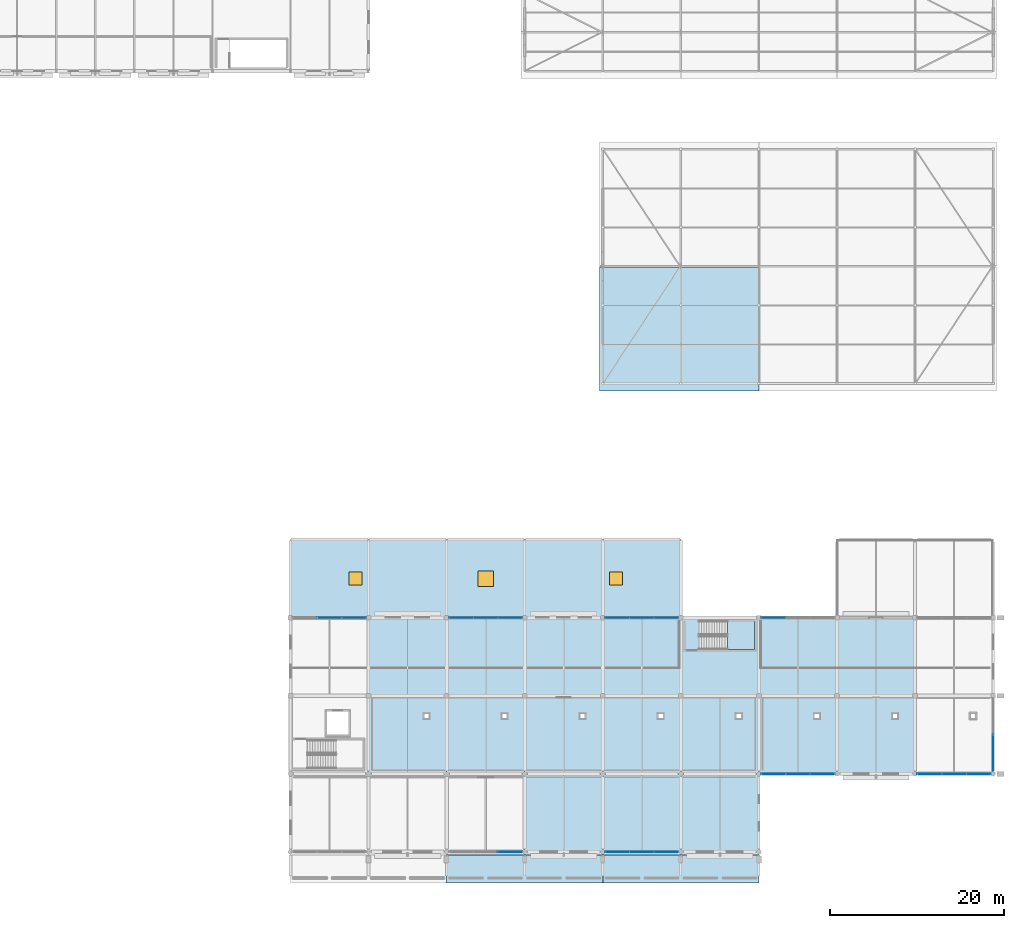
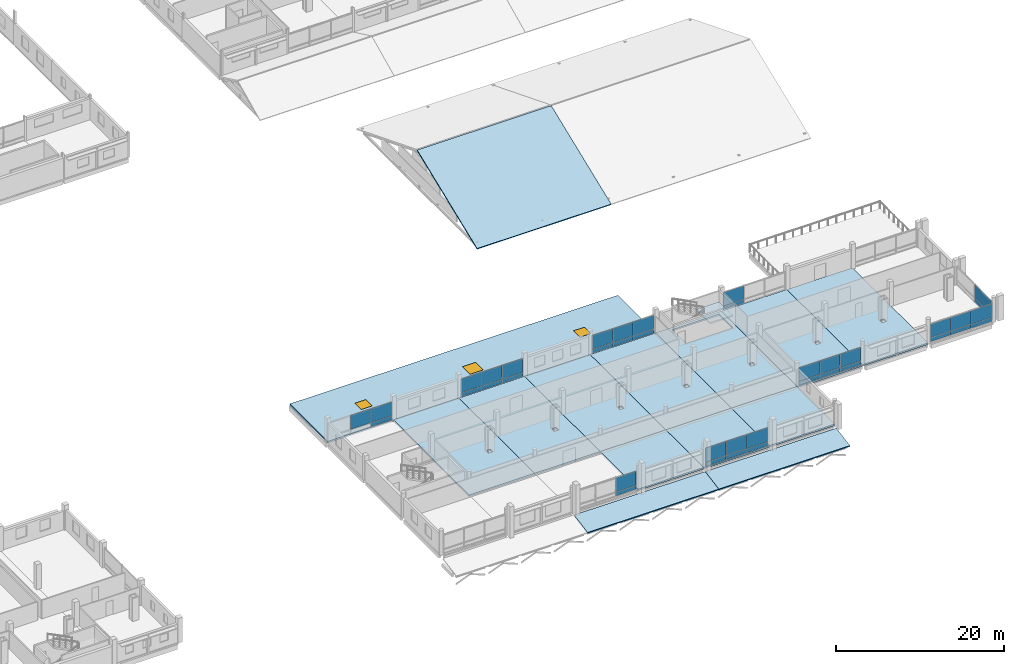
# One storey, part 95 of 132: 39 plates, 15 slabs, 3 windows, 3 openings, 10 elements without a shape of their own.
"""IFC4 building model written with IfcOpenShell, lengths in metres."""

from ifc_helpers import new_model, si_unit, direction, frame, origin, origin_2d, place, context, subcontext, project, spatial, polyline, rectangle, outline, extrude, material, layer, layer_set, type_object, element, fill, aggregate, save


model = new_model("IFC4")

# Units and contexts
model_context = context("Model", 3, precision=1e-05, world=origin(), true_north=direction((0.0, 1.0)))
body_context = subcontext(model_context, "Body", "Model", "MODEL_VIEW")
ifc_project = project(units=[si_unit("LENGTHUNIT", "METRE"), si_unit("AREAUNIT", "SQUARE_METRE"), si_unit("VOLUMEUNIT", "CUBIC_METRE"), si_unit("PLANEANGLEUNIT", "RADIAN"), si_unit("MASSUNIT", "GRAM", prefix="KILO")], contexts=[model_context])

# Site, building, storey
site_placement = place(None, origin())
site = spatial("IfcSite", under=ifc_project, at=site_placement, CompositionType="ELEMENT")
building_placement = place(site_placement, origin())
building = spatial("IfcBuilding", under=site, at=building_placement, Name="Tharagai Park Tramway Depot", CompositionType="ELEMENT")
storey_placement = place(building_placement, frame((0.0, 0.0, 4.800048828125)))
storey = spatial("IfcBuildingStorey", under=building, at=storey_placement, Name="L01", CompositionType="ELEMENT", Elevation=4.800048828125)

# Curtain wall, plate
ifc_material_1 = material(Name="Anodised aluminium", Category="aluminium")
curtain_wall_type_1 = type_object("IfcCurtainWallType", Name="CW-06", PredefinedType="NOTDEFINED", material=ifc_material_1)
curtain_wall_1_placement = place(storey_placement, origin())
curtain_wall_1 = element("IfcCurtainWall", 1, at=curtain_wall_1_placement, inside=storey, type_object=curtain_wall_type_1, Name="L01 V5 Gothic Mullioned Curtain Wall CW-06", PredefinedType="NOTDEFINED")
ifc_layer_1 = layer(ifc_material_1, 0.0400390625)
ifc_layer_set_1 = layer_set([ifc_layer_1], Name="Anodised aluminium")
plate_type_1 = type_object("IfcPlateType", Name="CP-01", PredefinedType="CURTAIN_PANEL", material=ifc_layer_set_1)
plate_1_placement = place(storey_placement, frame((160.3232421875, 0.0, 0.080078125), z_axis=(0.0, 0.0, 1.0), x_axis=(1.0, 0.0, 0.0)))
plate_1 = element("IfcPlate", 2, at=plate_1_placement, type_object=plate_type_1, Name="L01 V5 Gothic Mullioned Curtain Wall Spandrel Panel 3.1", PredefinedType="CURTAIN_PANEL", context=body_context, shape_type="SweptSolid", body=[
    extrude(rectangle(XDim=2.80322265625, YDim=0.0400390625, at=origin_2d()), origin(), (0.0, 0.0, 1.0), 0.550048828125),
])

# Curtain wall, plates
curtain_wall_2_placement = place(storey_placement, origin())
curtain_wall_2 = element("IfcCurtainWall", 3, at=curtain_wall_2_placement, inside=storey, type_object=curtain_wall_type_1, Name="L01 V5 Gothic Mullioned Curtain Wall CW-06", PredefinedType="NOTDEFINED")
plate_2_placement = place(storey_placement, frame((172.6767578125, 0.0, 0.080078125), z_axis=(0.0, 0.0, 1.0), x_axis=(1.0, 0.0, 0.0)))
plate_2 = element("IfcPlate", 4, at=plate_2_placement, type_object=plate_type_1, Name="L01 V5 Gothic Mullioned Curtain Wall Spandrel Panel 1.1", PredefinedType="CURTAIN_PANEL", context=body_context, shape_type="SweptSolid", body=[
    extrude(rectangle(XDim=2.80322265625, YDim=0.0400390625, at=origin_2d()), origin(), (0.0, 0.0, 1.0), 0.550048828125),
])
plate_3_placement = place(storey_placement, frame((175.5, 0.0, 0.080078125), z_axis=(0.0, 0.0, 1.0), x_axis=(1.0, 0.0, 0.0)))
plate_3 = element("IfcPlate", 5, at=plate_3_placement, type_object=plate_type_1, Name="L01 V5 Gothic Mullioned Curtain Wall Spandrel Panel 2.1", PredefinedType="CURTAIN_PANEL", context=body_context, shape_type="SweptSolid", body=[
    extrude(rectangle(XDim=2.80322265625, YDim=0.0400390625, at=origin_2d()), origin(), (0.0, 0.0, 1.0), 0.550048828125),
])
plate_4_placement = place(storey_placement, frame((178.3232421875, 0.0, 0.080078125), z_axis=(0.0, 0.0, 1.0), x_axis=(1.0, 0.0, 0.0)))
plate_4 = element("IfcPlate", 6, at=plate_4_placement, type_object=plate_type_1, Name="L01 V5 Gothic Mullioned Curtain Wall Spandrel Panel 3.1", PredefinedType="CURTAIN_PANEL", context=body_context, shape_type="SweptSolid", body=[
    extrude(rectangle(XDim=2.80322265625, YDim=0.0400390625, at=origin_2d()), origin(), (0.0, 0.0, 1.0), 0.550048828125),
])

curtain_wall_3_placement = place(storey_placement, origin())
curtain_wall_3 = element("IfcCurtainWall", 7, at=curtain_wall_3_placement, inside=storey, type_object=curtain_wall_type_1, Name="L01 V5 Gothic Mullioned Curtain Wall CW-06", PredefinedType="NOTDEFINED")
plate_5_placement = place(storey_placement, frame((190.6767578125, 9.0, 0.080078125), z_axis=(0.0, 0.0, 1.0), x_axis=(1.0, 0.0, 0.0)))
plate_5 = element("IfcPlate", 8, at=plate_5_placement, type_object=plate_type_1, Name="L01 V5 Gothic Mullioned Curtain Wall Spandrel Panel 1.1", PredefinedType="CURTAIN_PANEL", context=body_context, shape_type="SweptSolid", body=[
    extrude(rectangle(XDim=2.80322265625, YDim=0.0400390625, at=origin_2d()), origin(), (0.0, 0.0, 1.0), 0.550048828125),
])
plate_6_placement = place(storey_placement, frame((193.5, 9.0, 0.080078125), z_axis=(0.0, 0.0, 1.0), x_axis=(1.0, 0.0, 0.0)))
plate_6 = element("IfcPlate", 9, at=plate_6_placement, type_object=plate_type_1, Name="L01 V5 Gothic Mullioned Curtain Wall Spandrel Panel 2.1", PredefinedType="CURTAIN_PANEL", context=body_context, shape_type="SweptSolid", body=[
    extrude(rectangle(XDim=2.80322265625, YDim=0.0400390625, at=origin_2d()), origin(), (0.0, 0.0, 1.0), 0.550048828125),
])
plate_7_placement = place(storey_placement, frame((196.3232421875, 9.0, 0.080078125), z_axis=(0.0, 0.0, 1.0), x_axis=(1.0, 0.0, 0.0)))
plate_7 = element("IfcPlate", 10, at=plate_7_placement, type_object=plate_type_1, Name="L01 V5 Gothic Mullioned Curtain Wall Spandrel Panel 3.1", PredefinedType="CURTAIN_PANEL", context=body_context, shape_type="SweptSolid", body=[
    extrude(rectangle(XDim=2.80322265625, YDim=0.0400390625, at=origin_2d()), origin(), (0.0, 0.0, 1.0), 0.550048828125),
])

curtain_wall_4_placement = place(storey_placement, origin())
curtain_wall_4 = element("IfcCurtainWall", 11, at=curtain_wall_4_placement, inside=storey, type_object=curtain_wall_type_1, Name="L01 V5 Gothic Mullioned Curtain Wall CW-06", PredefinedType="NOTDEFINED")
plate_8_placement = place(storey_placement, frame((208.6767578125, 9.0, 0.080078125), z_axis=(0.0, 0.0, 1.0), x_axis=(1.0, 0.0, 0.0)))
plate_8 = element("IfcPlate", 12, at=plate_8_placement, type_object=plate_type_1, Name="L01 V5 Gothic Mullioned Curtain Wall Spandrel Panel 1.1", PredefinedType="CURTAIN_PANEL", context=body_context, shape_type="SweptSolid", body=[
    extrude(rectangle(XDim=2.80322265625, YDim=0.0400390625, at=origin_2d()), origin(), (0.0, 0.0, 1.0), 0.550048828125),
])
plate_9_placement = place(storey_placement, frame((211.5, 9.0, 0.080078125), z_axis=(0.0, 0.0, 1.0), x_axis=(1.0, 0.0, 0.0)))
plate_9 = element("IfcPlate", 13, at=plate_9_placement, type_object=plate_type_1, Name="L01 V5 Gothic Mullioned Curtain Wall Spandrel Panel 2.1", PredefinedType="CURTAIN_PANEL", context=body_context, shape_type="SweptSolid", body=[
    extrude(rectangle(XDim=2.80322265625, YDim=0.0400390625, at=origin_2d()), origin(), (0.0, 0.0, 1.0), 0.550048828125),
])
plate_10_placement = place(storey_placement, frame((214.3232421875, 9.0, 0.080078125), z_axis=(0.0, 0.0, 1.0), x_axis=(1.0, 0.0, 0.0)))
plate_10 = element("IfcPlate", 14, at=plate_10_placement, type_object=plate_type_1, Name="L01 V5 Gothic Mullioned Curtain Wall Spandrel Panel 3.1", PredefinedType="CURTAIN_PANEL", context=body_context, shape_type="SweptSolid", body=[
    extrude(rectangle(XDim=2.80322265625, YDim=0.0400390625, at=origin_2d()), origin(), (0.0, 0.0, 1.0), 0.550048828125),
])

# Curtain wall, plate
curtain_wall_5_placement = place(storey_placement, origin())
curtain_wall_5 = element("IfcCurtainWall", 15, at=curtain_wall_5_placement, inside=storey, type_object=curtain_wall_type_1, Name="L01 V5 Gothic Mullioned Curtain Wall CW-06", PredefinedType="NOTDEFINED")
plate_11_placement = place(storey_placement, frame((142.3232421875, 27.0, 0.080078125), z_axis=(0.0, 0.0, 1.0), x_axis=(1.0, 0.0, 0.0)))
plate_11 = element("IfcPlate", 16, at=plate_11_placement, type_object=plate_type_1, Name="L01 V5 Gothic Mullioned Curtain Wall Spandrel Panel 3.1", PredefinedType="CURTAIN_PANEL", context=body_context, shape_type="SweptSolid", body=[
    extrude(rectangle(XDim=2.80322265625, YDim=0.0400390625, at=origin_2d()), origin(), (0.0, 0.0, 1.0), 0.550048828125),
])

# Curtain wall, plates
curtain_wall_6_placement = place(storey_placement, origin())
curtain_wall_6 = element("IfcCurtainWall", 17, at=curtain_wall_6_placement, inside=storey, type_object=curtain_wall_type_1, Name="L01 V5 Gothic Mullioned Curtain Wall CW-06", PredefinedType="NOTDEFINED")
plate_12_placement = place(storey_placement, frame((154.6767578125, 27.0, 0.080078125), z_axis=(0.0, 0.0, 1.0), x_axis=(1.0, 0.0, 0.0)))
plate_12 = element("IfcPlate", 18, at=plate_12_placement, type_object=plate_type_1, Name="L01 V5 Gothic Mullioned Curtain Wall Spandrel Panel 1.1", PredefinedType="CURTAIN_PANEL", context=body_context, shape_type="SweptSolid", body=[
    extrude(rectangle(XDim=2.80322265625, YDim=0.0400390625, at=origin_2d()), origin(), (0.0, 0.0, 1.0), 0.550048828125),
])
plate_13_placement = place(storey_placement, frame((157.5, 27.0, 0.080078125), z_axis=(0.0, 0.0, 1.0), x_axis=(1.0, 0.0, 0.0)))
plate_13 = element("IfcPlate", 19, at=plate_13_placement, type_object=plate_type_1, Name="L01 V5 Gothic Mullioned Curtain Wall Spandrel Panel 2.1", PredefinedType="CURTAIN_PANEL", context=body_context, shape_type="SweptSolid", body=[
    extrude(rectangle(XDim=2.80322265625, YDim=0.0400390625, at=origin_2d()), origin(), (0.0, 0.0, 1.0), 0.550048828125),
])
plate_14_placement = place(storey_placement, frame((160.3232421875, 27.0, 0.080078125), z_axis=(0.0, 0.0, 1.0), x_axis=(1.0, 0.0, 0.0)))
plate_14 = element("IfcPlate", 20, at=plate_14_placement, type_object=plate_type_1, Name="L01 V5 Gothic Mullioned Curtain Wall Spandrel Panel 3.1", PredefinedType="CURTAIN_PANEL", context=body_context, shape_type="SweptSolid", body=[
    extrude(rectangle(XDim=2.80322265625, YDim=0.0400390625, at=origin_2d()), origin(), (0.0, 0.0, 1.0), 0.550048828125),
])

curtain_wall_7_placement = place(storey_placement, origin())
curtain_wall_7 = element("IfcCurtainWall", 21, at=curtain_wall_7_placement, inside=storey, type_object=curtain_wall_type_1, Name="L01 V5 Gothic Mullioned Curtain Wall CW-06", PredefinedType="NOTDEFINED")
plate_15_placement = place(storey_placement, frame((172.6767578125, 27.0, 0.080078125), z_axis=(0.0, 0.0, 1.0), x_axis=(1.0, 0.0, 0.0)))
plate_15 = element("IfcPlate", 22, at=plate_15_placement, type_object=plate_type_1, Name="L01 V5 Gothic Mullioned Curtain Wall Spandrel Panel 1.1", PredefinedType="CURTAIN_PANEL", context=body_context, shape_type="SweptSolid", body=[
    extrude(rectangle(XDim=2.80322265625, YDim=0.0400390625, at=origin_2d()), origin(), (0.0, 0.0, 1.0), 0.550048828125),
])
plate_16_placement = place(storey_placement, frame((175.5, 27.0, 0.080078125), z_axis=(0.0, 0.0, 1.0), x_axis=(1.0, 0.0, 0.0)))
plate_16 = element("IfcPlate", 23, at=plate_16_placement, type_object=plate_type_1, Name="L01 V5 Gothic Mullioned Curtain Wall Spandrel Panel 2.1", PredefinedType="CURTAIN_PANEL", context=body_context, shape_type="SweptSolid", body=[
    extrude(rectangle(XDim=2.80322265625, YDim=0.0400390625, at=origin_2d()), origin(), (0.0, 0.0, 1.0), 0.550048828125),
])
plate_17_placement = place(storey_placement, frame((178.3232421875, 27.0, 0.080078125), z_axis=(0.0, 0.0, 1.0), x_axis=(1.0, 0.0, 0.0)))
plate_17 = element("IfcPlate", 24, at=plate_17_placement, type_object=plate_type_1, Name="L01 V5 Gothic Mullioned Curtain Wall Spandrel Panel 3.1", PredefinedType="CURTAIN_PANEL", context=body_context, shape_type="SweptSolid", body=[
    extrude(rectangle(XDim=2.80322265625, YDim=0.0400390625, at=origin_2d()), origin(), (0.0, 0.0, 1.0), 0.550048828125),
])

# Curtain wall, plate
curtain_wall_8_placement = place(storey_placement, origin())
curtain_wall_8 = element("IfcCurtainWall", 25, at=curtain_wall_8_placement, inside=storey, type_object=curtain_wall_type_1, Name="L01 V5 Gothic Mullioned Curtain Wall CW-06", PredefinedType="NOTDEFINED")
plate_18_placement = place(storey_placement, frame((190.6767578125, 27.0, 0.080078125), z_axis=(0.0, 0.0, 1.0), x_axis=(1.0, 0.0, 0.0)))
plate_18 = element("IfcPlate", 26, at=plate_18_placement, type_object=plate_type_1, Name="L01 V5 Gothic Mullioned Curtain Wall Spandrel Panel 1.1", PredefinedType="CURTAIN_PANEL", context=body_context, shape_type="SweptSolid", body=[
    extrude(rectangle(XDim=2.80322265625, YDim=0.0400390625, at=origin_2d()), origin(), (0.0, 0.0, 1.0), 0.550048828125),
])

curtain_wall_type_2 = type_object("IfcCurtainWallType", Name="CW-07", PredefinedType="NOTDEFINED", material=ifc_material_1)
curtain_wall_9_placement = place(storey_placement, origin())
curtain_wall_9 = element("IfcCurtainWall", 27, at=curtain_wall_9_placement, inside=storey, type_object=curtain_wall_type_2, Name="L01 V5 Side Mullioned Curtain Wall CW-07", PredefinedType="NOTDEFINED")
plate_19_placement = place(storey_placement, frame((216.0, 11.382568359375, 0.080078125), z_axis=(0.0, 0.0, 1.0), x_axis=(0.0, 1.0, 0.0)))
plate_19 = element("IfcPlate", 28, at=plate_19_placement, type_object=plate_type_1, Name="L01 V5 Side Mullioned Curtain Wall Spandrel Panel 1.1", PredefinedType="CURTAIN_PANEL", context=body_context, shape_type="SweptSolid", body=[
    extrude(rectangle(XDim=4.215087890625, YDim=0.0400390625, at=origin_2d()), origin(), (0.0, 0.0, 1.0), 0.550048828125),
])

# Plate
ifc_material_2 = material(Name="Laminated solar-control glass", Category="glass")
ifc_layer_2 = layer(ifc_material_2, 0.028076171875)
ifc_layer_set_2 = layer_set([ifc_layer_2], Name="Laminated solar-control glass")
plate_type_2 = type_object("IfcPlateType", Name="CP-02", PredefinedType="CURTAIN_PANEL", material=ifc_layer_set_2)
plate_20_placement = place(storey_placement, frame((160.3232421875, 0.0, 0.669921875), z_axis=(0.0, 0.0, 1.0), x_axis=(1.0, 0.0, 0.0)))
plate_20 = element("IfcPlate", 29, at=plate_20_placement, type_object=plate_type_2, Name="L01 V5 Gothic Mullioned Curtain Wall Glazed Panel 3.2", PredefinedType="CURTAIN_PANEL", context=body_context, shape_type="SweptSolid", body=[
    extrude(rectangle(XDim=2.80322265625, YDim=0.028076171875, at=origin_2d()), origin(), (0.0, 0.0, 1.0), 2.0400390625),
])

aggregate(curtain_wall_1, [plate_1, plate_20])

plate_21_placement = place(storey_placement, frame((172.6767578125, 0.0, 0.669921875), z_axis=(0.0, 0.0, 1.0), x_axis=(1.0, 0.0, 0.0)))
plate_21 = element("IfcPlate", 30, at=plate_21_placement, type_object=plate_type_2, Name="L01 V5 Gothic Mullioned Curtain Wall Glazed Panel 1.2", PredefinedType="CURTAIN_PANEL", context=body_context, shape_type="SweptSolid", body=[
    extrude(rectangle(XDim=2.80322265625, YDim=0.028076171875, at=origin_2d()), origin(), (0.0, 0.0, 1.0), 2.0400390625),
])

plate_22_placement = place(storey_placement, frame((175.5, 0.0, 0.669921875), z_axis=(0.0, 0.0, 1.0), x_axis=(1.0, 0.0, 0.0)))
plate_22 = element("IfcPlate", 31, at=plate_22_placement, type_object=plate_type_2, Name="L01 V5 Gothic Mullioned Curtain Wall Glazed Panel 2.2", PredefinedType="CURTAIN_PANEL", context=body_context, shape_type="SweptSolid", body=[
    extrude(rectangle(XDim=2.80322265625, YDim=0.028076171875, at=origin_2d()), origin(), (0.0, 0.0, 1.0), 2.0400390625),
])

plate_23_placement = place(storey_placement, frame((178.3232421875, 0.0, 0.669921875), z_axis=(0.0, 0.0, 1.0), x_axis=(1.0, 0.0, 0.0)))
plate_23 = element("IfcPlate", 32, at=plate_23_placement, type_object=plate_type_2, Name="L01 V5 Gothic Mullioned Curtain Wall Glazed Panel 3.2", PredefinedType="CURTAIN_PANEL", context=body_context, shape_type="SweptSolid", body=[
    extrude(rectangle(XDim=2.80322265625, YDim=0.028076171875, at=origin_2d()), origin(), (0.0, 0.0, 1.0), 2.0400390625),
])

aggregate(curtain_wall_2, [plate_2, plate_21, plate_3, plate_22, plate_4, plate_23])

plate_24_placement = place(storey_placement, frame((190.6767578125, 9.0, 0.669921875), z_axis=(0.0, 0.0, 1.0), x_axis=(1.0, 0.0, 0.0)))
plate_24 = element("IfcPlate", 33, at=plate_24_placement, type_object=plate_type_2, Name="L01 V5 Gothic Mullioned Curtain Wall Glazed Panel 1.2", PredefinedType="CURTAIN_PANEL", context=body_context, shape_type="SweptSolid", body=[
    extrude(rectangle(XDim=2.80322265625, YDim=0.028076171875, at=origin_2d()), origin(), (0.0, 0.0, 1.0), 1.93994140625),
])

plate_25_placement = place(storey_placement, frame((193.5, 9.0, 0.669921875), z_axis=(0.0, 0.0, 1.0), x_axis=(1.0, 0.0, 0.0)))
plate_25 = element("IfcPlate", 34, at=plate_25_placement, type_object=plate_type_2, Name="L01 V5 Gothic Mullioned Curtain Wall Glazed Panel 2.2", PredefinedType="CURTAIN_PANEL", context=body_context, shape_type="SweptSolid", body=[
    extrude(rectangle(XDim=2.80322265625, YDim=0.028076171875, at=origin_2d()), origin(), (0.0, 0.0, 1.0), 1.93994140625),
])

plate_26_placement = place(storey_placement, frame((196.3232421875, 9.0, 0.669921875), z_axis=(0.0, 0.0, 1.0), x_axis=(1.0, 0.0, 0.0)))
plate_26 = element("IfcPlate", 35, at=plate_26_placement, type_object=plate_type_2, Name="L01 V5 Gothic Mullioned Curtain Wall Glazed Panel 3.2", PredefinedType="CURTAIN_PANEL", context=body_context, shape_type="SweptSolid", body=[
    extrude(rectangle(XDim=2.80322265625, YDim=0.028076171875, at=origin_2d()), origin(), (0.0, 0.0, 1.0), 1.93994140625),
])

aggregate(curtain_wall_3, [plate_5, plate_24, plate_6, plate_25, plate_7, plate_26])

plate_27_placement = place(storey_placement, frame((208.6767578125, 9.0, 0.669921875), z_axis=(0.0, 0.0, 1.0), x_axis=(1.0, 0.0, 0.0)))
plate_27 = element("IfcPlate", 36, at=plate_27_placement, type_object=plate_type_2, Name="L01 V5 Gothic Mullioned Curtain Wall Glazed Panel 1.2", PredefinedType="CURTAIN_PANEL", context=body_context, shape_type="SweptSolid", body=[
    extrude(rectangle(XDim=2.80322265625, YDim=0.028076171875, at=origin_2d()), origin(), (0.0, 0.0, 1.0), 1.93994140625),
])

plate_28_placement = place(storey_placement, frame((211.5, 9.0, 0.669921875), z_axis=(0.0, 0.0, 1.0), x_axis=(1.0, 0.0, 0.0)))
plate_28 = element("IfcPlate", 37, at=plate_28_placement, type_object=plate_type_2, Name="L01 V5 Gothic Mullioned Curtain Wall Glazed Panel 2.2", PredefinedType="CURTAIN_PANEL", context=body_context, shape_type="SweptSolid", body=[
    extrude(rectangle(XDim=2.80322265625, YDim=0.028076171875, at=origin_2d()), origin(), (0.0, 0.0, 1.0), 1.93994140625),
])

plate_29_placement = place(storey_placement, frame((214.3232421875, 9.0, 0.669921875), z_axis=(0.0, 0.0, 1.0), x_axis=(1.0, 0.0, 0.0)))
plate_29 = element("IfcPlate", 38, at=plate_29_placement, type_object=plate_type_2, Name="L01 V5 Gothic Mullioned Curtain Wall Glazed Panel 3.2", PredefinedType="CURTAIN_PANEL", context=body_context, shape_type="SweptSolid", body=[
    extrude(rectangle(XDim=2.80322265625, YDim=0.028076171875, at=origin_2d()), origin(), (0.0, 0.0, 1.0), 1.93994140625),
])

aggregate(curtain_wall_4, [plate_8, plate_27, plate_9, plate_28, plate_10, plate_29])

plate_30_placement = place(storey_placement, frame((139.5, 27.0, 0.669921875), z_axis=(0.0, 0.0, 1.0), x_axis=(1.0, 0.0, 0.0)))
plate_30 = element("IfcPlate", 39, at=plate_30_placement, type_object=plate_type_2, Name="L01 V5 Gothic Mullioned Curtain Wall Glazed Panel 2.2", PredefinedType="CURTAIN_PANEL", context=body_context, shape_type="SweptSolid", body=[
    extrude(rectangle(XDim=2.80322265625, YDim=0.028076171875, at=origin_2d()), origin(), (0.0, 0.0, 1.0), 2.0),
])

plate_31_placement = place(storey_placement, frame((142.3232421875, 27.0, 0.669921875), z_axis=(0.0, 0.0, 1.0), x_axis=(1.0, 0.0, 0.0)))
plate_31 = element("IfcPlate", 40, at=plate_31_placement, type_object=plate_type_2, Name="L01 V5 Gothic Mullioned Curtain Wall Glazed Panel 3.2", PredefinedType="CURTAIN_PANEL", context=body_context, shape_type="SweptSolid", body=[
    extrude(rectangle(XDim=2.80322265625, YDim=0.028076171875, at=origin_2d()), origin(), (0.0, 0.0, 1.0), 2.0),
])

aggregate(curtain_wall_5, [plate_30, plate_11, plate_31])

plate_32_placement = place(storey_placement, frame((154.6767578125, 27.0, 0.669921875), z_axis=(0.0, 0.0, 1.0), x_axis=(1.0, 0.0, 0.0)))
plate_32 = element("IfcPlate", 41, at=plate_32_placement, type_object=plate_type_2, Name="L01 V5 Gothic Mullioned Curtain Wall Glazed Panel 1.2", PredefinedType="CURTAIN_PANEL", context=body_context, shape_type="SweptSolid", body=[
    extrude(rectangle(XDim=2.80322265625, YDim=0.028076171875, at=origin_2d()), origin(), (0.0, 0.0, 1.0), 2.0),
])

plate_33_placement = place(storey_placement, frame((157.5, 27.0, 0.669921875), z_axis=(0.0, 0.0, 1.0), x_axis=(1.0, 0.0, 0.0)))
plate_33 = element("IfcPlate", 42, at=plate_33_placement, type_object=plate_type_2, Name="L01 V5 Gothic Mullioned Curtain Wall Glazed Panel 2.2", PredefinedType="CURTAIN_PANEL", context=body_context, shape_type="SweptSolid", body=[
    extrude(rectangle(XDim=2.80322265625, YDim=0.028076171875, at=origin_2d()), origin(), (0.0, 0.0, 1.0), 2.0),
])

plate_34_placement = place(storey_placement, frame((160.3232421875, 27.0, 0.669921875), z_axis=(0.0, 0.0, 1.0), x_axis=(1.0, 0.0, 0.0)))
plate_34 = element("IfcPlate", 43, at=plate_34_placement, type_object=plate_type_2, Name="L01 V5 Gothic Mullioned Curtain Wall Glazed Panel 3.2", PredefinedType="CURTAIN_PANEL", context=body_context, shape_type="SweptSolid", body=[
    extrude(rectangle(XDim=2.80322265625, YDim=0.028076171875, at=origin_2d()), origin(), (0.0, 0.0, 1.0), 2.0),
])

aggregate(curtain_wall_6, [plate_12, plate_32, plate_13, plate_33, plate_14, plate_34])

plate_35_placement = place(storey_placement, frame((172.6767578125, 27.0, 0.669921875), z_axis=(0.0, 0.0, 1.0), x_axis=(1.0, 0.0, 0.0)))
plate_35 = element("IfcPlate", 44, at=plate_35_placement, type_object=plate_type_2, Name="L01 V5 Gothic Mullioned Curtain Wall Glazed Panel 1.2", PredefinedType="CURTAIN_PANEL", context=body_context, shape_type="SweptSolid", body=[
    extrude(rectangle(XDim=2.80322265625, YDim=0.028076171875, at=origin_2d()), origin(), (0.0, 0.0, 1.0), 2.0),
])

plate_36_placement = place(storey_placement, frame((175.5, 27.0, 0.669921875), z_axis=(0.0, 0.0, 1.0), x_axis=(1.0, 0.0, 0.0)))
plate_36 = element("IfcPlate", 45, at=plate_36_placement, type_object=plate_type_2, Name="L01 V5 Gothic Mullioned Curtain Wall Glazed Panel 2.2", PredefinedType="CURTAIN_PANEL", context=body_context, shape_type="SweptSolid", body=[
    extrude(rectangle(XDim=2.80322265625, YDim=0.028076171875, at=origin_2d()), origin(), (0.0, 0.0, 1.0), 2.0),
])

plate_37_placement = place(storey_placement, frame((178.3232421875, 27.0, 0.669921875), z_axis=(0.0, 0.0, 1.0), x_axis=(1.0, 0.0, 0.0)))
plate_37 = element("IfcPlate", 46, at=plate_37_placement, type_object=plate_type_2, Name="L01 V5 Gothic Mullioned Curtain Wall Glazed Panel 3.2", PredefinedType="CURTAIN_PANEL", context=body_context, shape_type="SweptSolid", body=[
    extrude(rectangle(XDim=2.80322265625, YDim=0.028076171875, at=origin_2d()), origin(), (0.0, 0.0, 1.0), 2.0),
])

aggregate(curtain_wall_7, [plate_15, plate_35, plate_16, plate_36, plate_17, plate_37])

plate_38_placement = place(storey_placement, frame((190.6767578125, 27.0, 0.669921875), z_axis=(0.0, 0.0, 1.0), x_axis=(1.0, 0.0, 0.0)))
plate_38 = element("IfcPlate", 47, at=plate_38_placement, type_object=plate_type_2, Name="L01 V5 Gothic Mullioned Curtain Wall Glazed Panel 1.2", PredefinedType="CURTAIN_PANEL", context=body_context, shape_type="SweptSolid", body=[
    extrude(rectangle(XDim=2.80322265625, YDim=0.028076171875, at=origin_2d()), origin(), (0.0, 0.0, 1.0), 1.93994140625),
])

aggregate(curtain_wall_8, [plate_18, plate_38])

plate_39_placement = place(storey_placement, frame((216.0, 11.382568359375, 0.669921875), z_axis=(0.0, 0.0, 1.0), x_axis=(0.0, 1.0, 0.0)))
plate_39 = element("IfcPlate", 48, at=plate_39_placement, type_object=plate_type_2, Name="L01 V5 Side Mullioned Curtain Wall Glazed Panel 1.2", PredefinedType="CURTAIN_PANEL", context=body_context, shape_type="SweptSolid", body=[
    extrude(rectangle(XDim=4.215087890625, YDim=0.028076171875, at=origin_2d()), origin(), (0.0, 0.0, 1.0), 1.93994140625),
])

aggregate(curtain_wall_9, [plate_19, plate_39])

# Stair, slab
ifc_material_3 = material(Name="Concrete M35", Category="concrete")
stair_type = type_object("IfcStairType", Name="STT-02", PredefinedType="HALF_TURN_STAIR", material=ifc_material_3)
stair_placement = place(storey_placement, origin())
stair = element("IfcStair", 49, at=stair_placement, inside=storey, type_object=stair_type, Name="L01 Protected Exit Stair ST-07", PredefinedType="HALF_TURN_STAIR")
ifc_layer_3 = layer(ifc_material_3, 0.199951171875)
ifc_layer_set_3 = layer_set([ifc_layer_3], Name="Concrete M35")
slab_type_1 = type_object("IfcSlabType", Name="LN-01", PredefinedType="LANDING", material=ifc_layer_set_3)
slab_1_placement = place(storey_placement, frame((0.0, 0.0, 1.599853515625)))
slab_1 = element("IfcSlab", 50, at=slab_1_placement, type_object=slab_type_1, Name="ST-07 landing 1", PredefinedType="LANDING", context=body_context, shape_type="SweptSolid", body=[
    extrude(outline(polyline([(185.3701171875, 23.35009765625), (188.47998046875, 23.35009765625), (188.47998046875, 26.60009765625), (185.3701171875, 26.60009765625), (185.3701171875, 23.35009765625)])), origin(), (0.0, 0.0, 1.0), 0.2001953125),
])
aggregate(stair, [slab_1])

# Slabs
ifc_layer_4 = layer(ifc_material_3, 0.169921875)
ifc_layer_set_4 = layer_set([ifc_layer_4], Name="Concrete M35")
slab_type_2 = type_object("IfcSlabType", Name="RS-02", PredefinedType="ROOF", material=ifc_layer_set_4)
slab_2_placement = place(storey_placement, frame((170.60009765625, 53.14990234375, -0.3349609375), z_axis=(0.0, -0.368499330509, 0.929628013463), x_axis=(1.0, 0.0, 0.0)))
element("IfcSlab", 51, at=slab_2_placement, inside=storey, type_object=slab_type_2, Name="V6 South Pitched Roof Slab 1", PredefinedType="ROOF", context=body_context, shape_type="SweptSolid", body=[
    extrude(outline(polyline([(0.0, 0.0), (18.39990234375, 0.0), (18.39990234375, 15.33947940371383), (0.0, 15.33947940371383), (0.0, 0.0)])), origin(), (0.0, 0.0, -1.0), 0.169921875),
])
for number, where, z_axis, x_axis, name in (
    (52, (153.0, -3.60009765625, -0.9599609375), (0.0, -0.175637063894, 0.984454987182), (1.0, 0.0, 0.0), "Gothic Park Cloister Sloped Monsoon Roof 2"),
    (53, (171.0, -3.60009765625, -0.9599609375), (0.0, -0.175637063894, 0.984454987182), (1.0, 0.0, 0.0), "Gothic Park Cloister Sloped Monsoon Roof 3"),
):
    element("IfcSlab", number, at=place(storey_placement, frame(where, z_axis=z_axis, x_axis=x_axis)), inside=storey, type_object=slab_type_2, Name=name, PredefinedType="ROOF", context=body_context, shape_type="SweptSolid", body=[
        extrude(outline(polyline([(0.0, 0.0), (18.0, 0.0), (18.0, 3.3013190469017357), (0.0, 3.3013190469017357), (0.0, 0.0)])), origin(), (0.0, 0.0, -1.0), 0.169921875),
    ])

# Slab, openings, windows
ifc_layer_5 = layer(ifc_material_3, 0.239990234375)
ifc_layer_set_5 = layer_set([ifc_layer_5], Name="Concrete M35")
slab_type_3 = type_object("IfcSlabType", Name="RS-03", PredefinedType="ROOF", material=ifc_layer_set_5)
slab_3_placement = place(storey_placement, frame((0.0, 0.0, -0.239990234375)))
slab_3 = element("IfcSlab", 54, at=slab_3_placement, inside=storey, type_object=slab_type_3, Name="L01 V5 Flat Roof Slab", PredefinedType="ROOF", context=body_context, shape_type="SweptSolid", body=[
    extrude(outline(polyline([(135.0, 27.0), (180.0, 27.0), (180.0, 36.0), (135.0, 36.0), (135.0, 27.0)])), origin(), (0.0, 0.0, 1.0), 0.239990234375),
])
opening_1_placement = place(slab_3_placement, frame((142.5, 31.5, -0.010009765625)))
opening_1 = element("IfcOpeningElement", 55, at=opening_1_placement, cuts=slab_3, Name="Opening SK-04", PredefinedType="OPENING", context=body_context, shape_type="SweptSolid", body=[
    extrude(rectangle(XDim=1.5, YDim=1.5, at=origin_2d()), origin(), (0.0, 0.0, 1.0), 0.260009765625),
])
opening_2_placement = place(slab_3_placement, frame((157.5, 31.5, -0.010009765625)))
opening_2 = element("IfcOpeningElement", 56, at=opening_2_placement, cuts=slab_3, Name="Opening SK-02", PredefinedType="OPENING", context=body_context, shape_type="SweptSolid", body=[
    extrude(rectangle(XDim=1.800048828125, YDim=1.800048828125, at=origin_2d()), origin(), (0.0, 0.0, 1.0), 0.260009765625),
])
opening_3_placement = place(slab_3_placement, frame((172.5, 31.5, -0.010009765625)))
opening_3 = element("IfcOpeningElement", 57, at=opening_3_placement, cuts=slab_3, Name="Opening SK-04", PredefinedType="OPENING", context=body_context, shape_type="SweptSolid", body=[
    extrude(rectangle(XDim=1.5, YDim=1.5, at=origin_2d()), origin(), (0.0, 0.0, 1.0), 0.260009765625),
])
window_type_1 = type_object("IfcWindowType", Name="SK-02", PartitioningType="SINGLE_PANEL", PredefinedType="LIGHTDOME", material=ifc_material_2)
window_1_placement = place(opening_2_placement, frame((0.0, 0.0, 0.199951171875)))
window_1 = element("IfcWindow", 58, at=window_1_placement, inside=storey, type_object=window_type_1, Name="Roof Lightdome SK-02 #5", OverallHeight=1.800048828125, OverallWidth=1.800048828125, PartitioningType="SINGLE_PANEL", PredefinedType="LIGHTDOME", context=body_context, shape_type="SweptSolid", body=[
    extrude(rectangle(XDim=1.800048828125, YDim=1.800048828125, at=origin_2d()), origin(), (0.0, 0.0, 1.0), 0.050048828125),
])
fill(opening_2, window_1)
window_type_2 = type_object("IfcWindowType", Name="SK-04", PartitioningType="SINGLE_PANEL", PredefinedType="LIGHTDOME", material=ifc_material_2)
window_2_placement = place(opening_1_placement, frame((0.0, 0.0, 0.199951171875)))
window_2 = element("IfcWindow", 59, at=window_2_placement, inside=storey, type_object=window_type_2, Name="Roof Lightdome SK-04 #4", OverallHeight=1.5, OverallWidth=1.5, PartitioningType="SINGLE_PANEL", PredefinedType="LIGHTDOME", context=body_context, shape_type="SweptSolid", body=[
    extrude(rectangle(XDim=1.5, YDim=1.5, at=origin_2d()), origin(), (0.0, 0.0, 1.0), 0.050048828125),
])
fill(opening_1, window_2)
window_3_placement = place(opening_3_placement, frame((0.0, 0.0, 0.199951171875)))
window_3 = element("IfcWindow", 60, at=window_3_placement, inside=storey, type_object=window_type_2, Name="Roof Lightdome SK-04 #6", OverallHeight=1.5, OverallWidth=1.5, PartitioningType="SINGLE_PANEL", PredefinedType="LIGHTDOME", context=body_context, shape_type="SweptSolid", body=[
    extrude(rectangle(XDim=1.5, YDim=1.5, at=origin_2d()), origin(), (0.0, 0.0, 1.0), 0.050048828125),
])
fill(opening_3, window_3)

# Slabs
ifc_layer_6 = layer(ifc_material_3, 0.22998046875)
ifc_layer_set_6 = layer_set([ifc_layer_6], Name="Concrete M35")
slab_type_4 = type_object("IfcSlabType", Name="SB-12", PredefinedType="FLOOR", material=ifc_layer_set_6)
slab_4_placement = place(storey_placement, frame((0.0, 0.0, -0.22998046875)))
element("IfcSlab", 61, at=slab_4_placement, inside=storey, type_object=slab_type_4, Name="L01 V5 Suspended Floor Slab Bay 4", PredefinedType="FLOOR", context=body_context, shape_type="SweptSolid", body=[
    extrude(outline(polyline([(162.0, 0.0), (171.0, 0.0), (171.0, 9.0), (162.0, 9.0), (162.0, 0.0)])), origin(), (0.0, 0.0, 1.0), 0.22998046875),
])
slab_5_placement = place(storey_placement, frame((0.0, 0.0, -0.22998046875)))
element("IfcSlab", 62, at=slab_5_placement, inside=storey, type_object=slab_type_4, Name="L01 V5 Suspended Floor Slab Bay 5", PredefinedType="FLOOR", context=body_context, shape_type="SweptSolid", body=[
    extrude(outline(polyline([(171.0, 0.0), (180.0, 0.0), (180.0, 9.0), (171.0, 9.0), (171.0, 0.0)])), origin(), (0.0, 0.0, 1.0), 0.22998046875),
])
slab_6_placement = place(storey_placement, frame((0.0, 0.0, -0.22998046875)))
element("IfcSlab", 63, at=slab_6_placement, inside=storey, type_object=slab_type_4, Name="L01 V5 Suspended Floor Slab Bay 6", PredefinedType="FLOOR", context=body_context, shape_type="SweptSolid", body=[
    extrude(outline(polyline([(180.0, 0.0), (189.0, 0.0), (189.0, 9.0), (180.0, 9.0), (180.0, 0.0)])), origin(), (0.0, 0.0, 1.0), 0.22998046875),
])
slab_7_placement = place(storey_placement, frame((0.0, 0.0, -0.22998046875)))
element("IfcSlab", 64, at=slab_7_placement, inside=storey, type_object=slab_type_4, Name="L01 V5 Suspended Floor Slab Bay 2", PredefinedType="FLOOR", context=body_context, shape_type="SweptSolid", body=[
    extrude(outline(polyline([(144.0, 9.0), (153.0, 9.0), (153.0, 27.0), (144.0, 27.0), (144.0, 9.0)]), holes=[polyline([(150.39990234375, 15.39990234375), (150.949951171875, 15.39990234375), (150.949951171875, 15.949951171875), (150.39990234375, 15.949951171875), (150.39990234375, 15.39990234375)])]), origin(), (0.0, 0.0, 1.0), 0.22998046875),
])
slab_8_placement = place(storey_placement, frame((0.0, 0.0, -0.22998046875)))
element("IfcSlab", 65, at=slab_8_placement, inside=storey, type_object=slab_type_4, Name="L01 V5 Suspended Floor Slab Bay 3", PredefinedType="FLOOR", context=body_context, shape_type="SweptSolid", body=[
    extrude(outline(polyline([(153.0, 9.0), (162.0, 9.0), (162.0, 27.0), (153.0, 27.0), (153.0, 9.0)]), holes=[polyline([(159.39990234375, 15.39990234375), (159.949951171875, 15.39990234375), (159.949951171875, 15.949951171875), (159.39990234375, 15.949951171875), (159.39990234375, 15.39990234375)])]), origin(), (0.0, 0.0, 1.0), 0.22998046875),
])
slab_9_placement = place(storey_placement, frame((0.0, 0.0, -0.22998046875)))
element("IfcSlab", 66, at=slab_9_placement, inside=storey, type_object=slab_type_4, Name="L01 V5 Suspended Floor Slab Bay 4", PredefinedType="FLOOR", context=body_context, shape_type="SweptSolid", body=[
    extrude(outline(polyline([(162.0, 9.0), (171.0, 9.0), (171.0, 27.0), (162.0, 27.0), (162.0, 9.0)]), holes=[polyline([(168.39990234375, 15.39990234375), (168.949951171875, 15.39990234375), (168.949951171875, 15.949951171875), (168.39990234375, 15.949951171875), (168.39990234375, 15.39990234375)])]), origin(), (0.0, 0.0, 1.0), 0.22998046875),
])
slab_10_placement = place(storey_placement, frame((0.0, 0.0, -0.22998046875)))
element("IfcSlab", 67, at=slab_10_placement, inside=storey, type_object=slab_type_4, Name="L01 V5 Suspended Floor Slab Bay 5", PredefinedType="FLOOR", context=body_context, shape_type="SweptSolid", body=[
    extrude(outline(polyline([(171.0, 9.0), (180.0, 9.0), (180.0, 27.0), (171.0, 27.0), (171.0, 9.0)]), holes=[polyline([(177.39990234375, 15.39990234375), (177.949951171875, 15.39990234375), (177.949951171875, 15.949951171875), (177.39990234375, 15.949951171875), (177.39990234375, 15.39990234375)])]), origin(), (0.0, 0.0, 1.0), 0.22998046875),
])
slab_11_placement = place(storey_placement, frame((0.0, 0.0, -0.22998046875)))
element("IfcSlab", 68, at=slab_11_placement, inside=storey, type_object=slab_type_4, Name="L01 V5 Suspended Floor Slab Bay 6", PredefinedType="FLOOR", context=body_context, shape_type="SweptSolid", body=[
    extrude(outline(polyline([(180.0, 9.0), (189.0, 9.0), (189.0, 27.0), (180.0, 27.0), (180.0, 9.0)]), holes=[polyline([(182.070068359375, 23.35009765625), (188.47998046875, 23.35009765625), (188.47998046875, 26.60009765625), (182.070068359375, 26.60009765625), (182.070068359375, 23.35009765625)]), polyline([(186.39990234375, 15.39990234375), (186.949951171875, 15.39990234375), (186.949951171875, 15.949951171875), (186.39990234375, 15.949951171875), (186.39990234375, 15.39990234375)])]), origin(), (0.0, 0.0, 1.0), 0.22998046875),
])
slab_12_placement = place(storey_placement, frame((0.0, 0.0, -0.22998046875)))
element("IfcSlab", 69, at=slab_12_placement, inside=storey, type_object=slab_type_4, Name="L01 V5 Suspended Floor Slab Bay 7", PredefinedType="FLOOR", context=body_context, shape_type="SweptSolid", body=[
    extrude(outline(polyline([(189.0, 9.0), (198.0, 9.0), (198.0, 27.0), (189.0, 27.0), (189.0, 9.0)]), holes=[polyline([(195.39990234375, 15.39990234375), (195.949951171875, 15.39990234375), (195.949951171875, 15.949951171875), (195.39990234375, 15.949951171875), (195.39990234375, 15.39990234375)])]), origin(), (0.0, 0.0, 1.0), 0.22998046875),
])
slab_13_placement = place(storey_placement, frame((0.0, 0.0, -0.22998046875)))
element("IfcSlab", 70, at=slab_13_placement, inside=storey, type_object=slab_type_4, Name="L01 V5 Suspended Floor Slab Bay 8", PredefinedType="FLOOR", context=body_context, shape_type="SweptSolid", body=[
    extrude(outline(polyline([(198.0, 9.0), (207.0, 9.0), (207.0, 27.0), (198.0, 27.0), (198.0, 9.0)]), holes=[polyline([(204.39990234375, 15.39990234375), (204.949951171875, 15.39990234375), (204.949951171875, 15.949951171875), (204.39990234375, 15.949951171875), (204.39990234375, 15.39990234375)])]), origin(), (0.0, 0.0, 1.0), 0.22998046875),
])

save(model, "model.ifc")
